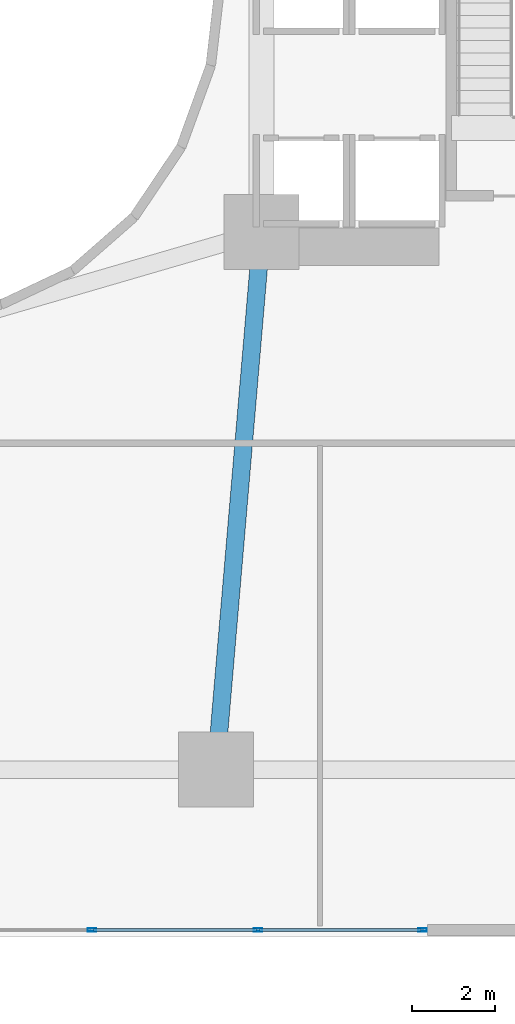
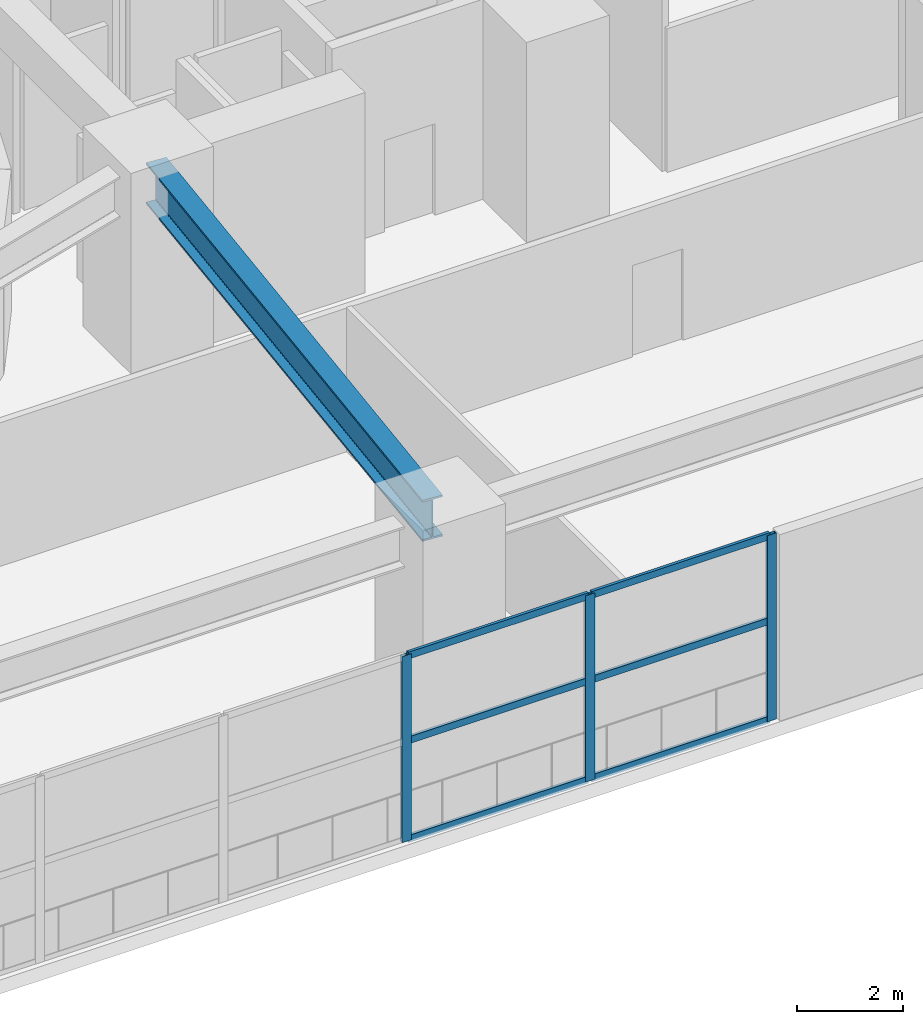
# One storey, part 4 of 20: 9 members, 1 beam, 1 element without a shape of its own.
"""IFC4 building model written with IfcOpenShell, lengths in metres."""

from ifc_helpers import new_model, si_unit, direction, frame, origin, origin_2d, place, context, subcontext, project, spatial, hollow_rectangle, i_section, extrude, material, layer, layer_set, material_profile, profile_set, type_object, element, aggregate, save


model = new_model("IFC4")

# Units and contexts
model_context = context("Model", 3, precision=1e-05, world=origin(), true_north=direction((0.0, 1.0)))
body_context = subcontext(model_context, "Body", "Model", "MODEL_VIEW")
ifc_project = project(units=[si_unit("LENGTHUNIT", "METRE"), si_unit("AREAUNIT", "SQUARE_METRE"), si_unit("VOLUMEUNIT", "CUBIC_METRE"), si_unit("PLANEANGLEUNIT", "RADIAN"), si_unit("MASSUNIT", "GRAM", prefix="KILO")], contexts=[model_context])

# Site, building, storey
site_placement = place(None, origin())
site = spatial("IfcSite", under=ifc_project, at=site_placement, CompositionType="ELEMENT")
building_placement = place(site_placement, origin())
building = spatial("IfcBuilding", under=site, at=building_placement, Name="Solvane Sanctuary Tower", CompositionType="ELEMENT")
storey_placement = place(building_placement, frame((0.0, 0.0, 9.199951171875)))
storey = spatial("IfcBuildingStorey", under=building, at=storey_placement, Name="L03", CompositionType="ELEMENT", Elevation=9.199951171875)

# Beam
ifc_material_1 = material(Name="Steel ASTM A913 Grade 65", Category="steel")
ifc_material_profile_1 = material_profile(ifc_material_1, i_section(OverallWidth=0.423095703125, OverallDepth=0.947998046875, WebThickness=0.02392578125, FlangeThickness=0.042724609375, FilletRadius=0.02392578125, at=origin_2d()), Name="W36X302")
ifc_profile_set_1 = profile_set([ifc_material_profile_1], Name="Steel ASTM A913 Grade 65")
beam_type = type_object("IfcBeamType", Name="Beam B-POD-GIRD W36X302", PredefinedType="BEAM", material=ifc_profile_set_1)
beam_placement = place(storey_placement, frame((39.02978515625, 4.3486328125, 3.803955078125), z_axis=(0.084962372295, 0.996384160499, 0.0), x_axis=(-0.996384160499, 0.084962372295, 0.0)))
element("IfcBeam", 1, at=beam_placement, inside=storey, type_object=beam_type, Name="L03 Podium Primary Girder PG10", PredefinedType="BEAM", context=body_context, shape_type="SweptSolid", body=[
    extrude(i_section(OverallWidth=0.423095703125, OverallDepth=0.947998046875, WebThickness=0.02392578125, FlangeThickness=0.042724609375, FilletRadius=0.02392578125, at=origin_2d()), origin(), (0.0, 0.0, 1.0), 12.246826171875),
])

# Curtain wall, members
ifc_material_2 = material(Name="Anodised Aluminium 6063-T6", Category="aluminium")
ifc_layer = layer(ifc_material_2, 0.159912109375, Name="Anodised Aluminium 6063-T6")
ifc_layer_set = layer_set([ifc_layer], Name="Anodised Aluminium 6063-T6")
curtain_wall_type = type_object("IfcCurtainWallType", Name="Curtain Wall CW-POD", PredefinedType="NOTDEFINED", material=ifc_layer_set)
curtain_wall_placement = place(storey_placement, origin())
curtain_wall = element("IfcCurtainWall", 2, at=curtain_wall_placement, inside=storey, type_object=curtain_wall_type, Name="L03 Sanctuary Curtain Wall S2", PredefinedType="NOTDEFINED")
ifc_material_profile_2 = material_profile(ifc_material_2, hollow_rectangle(XDim=0.074951171875, YDim=0.199951171875, WallThickness=0.00390625, at=origin_2d()), Name="ALU200X75X4")
ifc_profile_set_2 = profile_set([ifc_material_profile_2], Name="Anodised Aluminium 6063-T6")
member_type_1 = type_object("IfcMemberType", Name="Member M-CW-MUL-1 ALU200X75X4", PredefinedType="MULLION", material=ifc_profile_set_2)
member_1_placement = place(storey_placement, frame((36.026611328125, 0.14990234375, 0.0), z_axis=(0.0, 0.0, 1.0), x_axis=(0.0, 1.0, 0.0)))
member_1 = element("IfcMember", 3, at=member_1_placement, type_object=member_type_1, Name="CW-POD mullion 5", PredefinedType="MULLION", context=body_context, shape_type="SweptSolid", body=[
    extrude(hollow_rectangle(XDim=0.074951171875, YDim=0.199951171875, WallThickness=0.00390625, at=origin_2d()), origin(), (0.0, 0.0, 1.0), 4.280029296875),
])
member_2_placement = place(storey_placement, frame((40.013427734375, 0.14990234375, 0.0), z_axis=(0.0, 0.0, 1.0), x_axis=(0.0, 1.0, 0.0)))
member_2 = element("IfcMember", 4, at=member_2_placement, type_object=member_type_1, Name="CW-POD mullion 6", PredefinedType="MULLION", context=body_context, shape_type="SweptSolid", body=[
    extrude(hollow_rectangle(XDim=0.074951171875, YDim=0.199951171875, WallThickness=0.00390625, at=origin_2d()), origin(), (0.0, 0.0, 1.0), 4.280029296875),
])
member_3_placement = place(storey_placement, frame((43.96240234375, 0.14990234375, 0.0), z_axis=(0.0, 0.0, 1.0), x_axis=(0.0, 1.0, 0.0)))
member_3 = element("IfcMember", 5, at=member_3_placement, type_object=member_type_1, Name="CW-POD mullion 7", PredefinedType="MULLION", context=body_context, shape_type="SweptSolid", body=[
    extrude(hollow_rectangle(XDim=0.074951171875, YDim=0.199951171875, WallThickness=0.00390625, at=origin_2d()), origin(), (0.0, 0.0, 1.0), 4.280029296875),
])
ifc_material_profile_3 = material_profile(ifc_material_2, hollow_rectangle(XDim=0.06494140625, YDim=0.159912109375, WallThickness=0.00341796875, at=origin_2d()), Name="ALU160X65X3.5")
ifc_profile_set_3 = profile_set([ifc_material_profile_3], Name="Anodised Aluminium 6063-T6")
member_type_2 = type_object("IfcMemberType", Name="Member M-CW-TRN-1 ALU160X65X3.5", PredefinedType="USERDEFINED", material=ifc_profile_set_3)
member_4_placement = place(storey_placement, frame((36.064208984375, 0.14990234375, 0.032470703125), z_axis=(1.0, 0.0, 0.0), x_axis=(0.0, 1.0, 0.0)))
member_4 = element("IfcMember", 6, at=member_4_placement, type_object=member_type_2, Name="CW-POD transom 5.1", ObjectType="TRANSOM", PredefinedType="USERDEFINED", context=body_context, shape_type="SweptSolid", body=[
    extrude(hollow_rectangle(XDim=0.06494140625, YDim=0.159912109375, WallThickness=0.00341796875, at=origin_2d()), origin(), (0.0, 0.0, 1.0), 3.91162109375),
])
member_5_placement = place(storey_placement, frame((36.064208984375, 0.14990234375, 2.300048828125), z_axis=(1.0, 0.0, 0.0), x_axis=(0.0, 1.0, 0.0)))
member_5 = element("IfcMember", 7, at=member_5_placement, type_object=member_type_2, Name="CW-POD transom 5.2", ObjectType="TRANSOM", PredefinedType="USERDEFINED", context=body_context, shape_type="SweptSolid", body=[
    extrude(hollow_rectangle(XDim=0.06494140625, YDim=0.159912109375, WallThickness=0.00341796875, at=origin_2d()), origin(), (0.0, 0.0, 1.0), 3.91162109375),
])
member_6_placement = place(storey_placement, frame((36.064208984375, 0.14990234375, 4.24755859375), z_axis=(1.0, 0.0, 0.0), x_axis=(0.0, 1.0, 0.0)))
member_6 = element("IfcMember", 8, at=member_6_placement, type_object=member_type_2, Name="CW-POD transom 5.3", ObjectType="TRANSOM", PredefinedType="USERDEFINED", context=body_context, shape_type="SweptSolid", body=[
    extrude(hollow_rectangle(XDim=0.06494140625, YDim=0.159912109375, WallThickness=0.00341796875, at=origin_2d()), origin(), (0.0, 0.0, 1.0), 3.91162109375),
])
member_7_placement = place(storey_placement, frame((40.05078125, 0.14990234375, 0.032470703125), z_axis=(1.0, 0.0, 0.0), x_axis=(0.0, 1.0, 0.0)))
member_7 = element("IfcMember", 9, at=member_7_placement, type_object=member_type_2, Name="CW-POD transom 6.1", ObjectType="TRANSOM", PredefinedType="USERDEFINED", context=body_context, shape_type="SweptSolid", body=[
    extrude(hollow_rectangle(XDim=0.06494140625, YDim=0.159912109375, WallThickness=0.00341796875, at=origin_2d()), origin(), (0.0, 0.0, 1.0), 3.874267578125),
])
member_8_placement = place(storey_placement, frame((40.05078125, 0.14990234375, 2.300048828125), z_axis=(1.0, 0.0, 0.0), x_axis=(0.0, 1.0, 0.0)))
member_8 = element("IfcMember", 10, at=member_8_placement, type_object=member_type_2, Name="CW-POD transom 6.2", ObjectType="TRANSOM", PredefinedType="USERDEFINED", context=body_context, shape_type="SweptSolid", body=[
    extrude(hollow_rectangle(XDim=0.06494140625, YDim=0.159912109375, WallThickness=0.00341796875, at=origin_2d()), origin(), (0.0, 0.0, 1.0), 3.874267578125),
])
member_9_placement = place(storey_placement, frame((40.05078125, 0.14990234375, 4.24755859375), z_axis=(1.0, 0.0, 0.0), x_axis=(0.0, 1.0, 0.0)))
member_9 = element("IfcMember", 11, at=member_9_placement, type_object=member_type_2, Name="CW-POD transom 6.3", ObjectType="TRANSOM", PredefinedType="USERDEFINED", context=body_context, shape_type="SweptSolid", body=[
    extrude(hollow_rectangle(XDim=0.06494140625, YDim=0.159912109375, WallThickness=0.00341796875, at=origin_2d()), origin(), (0.0, 0.0, 1.0), 3.874267578125),
])
aggregate(curtain_wall, [member_1, member_2, member_3, member_4, member_5, member_6, member_7, member_8, member_9])

save(model, "model.ifc")
